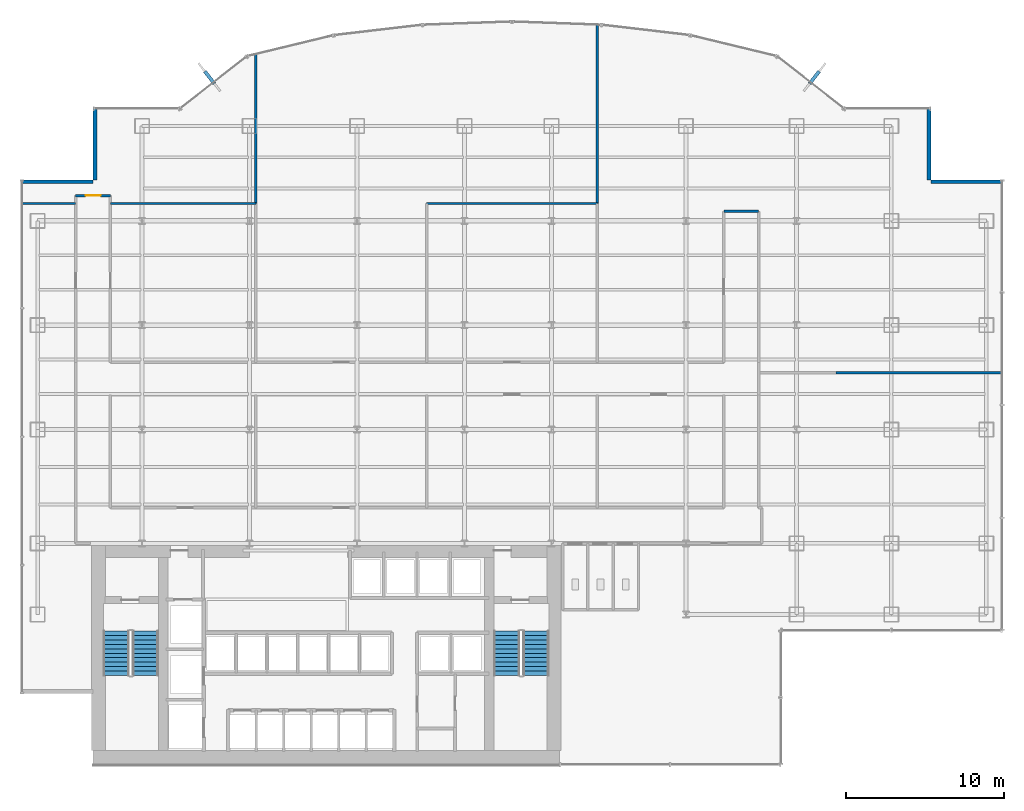
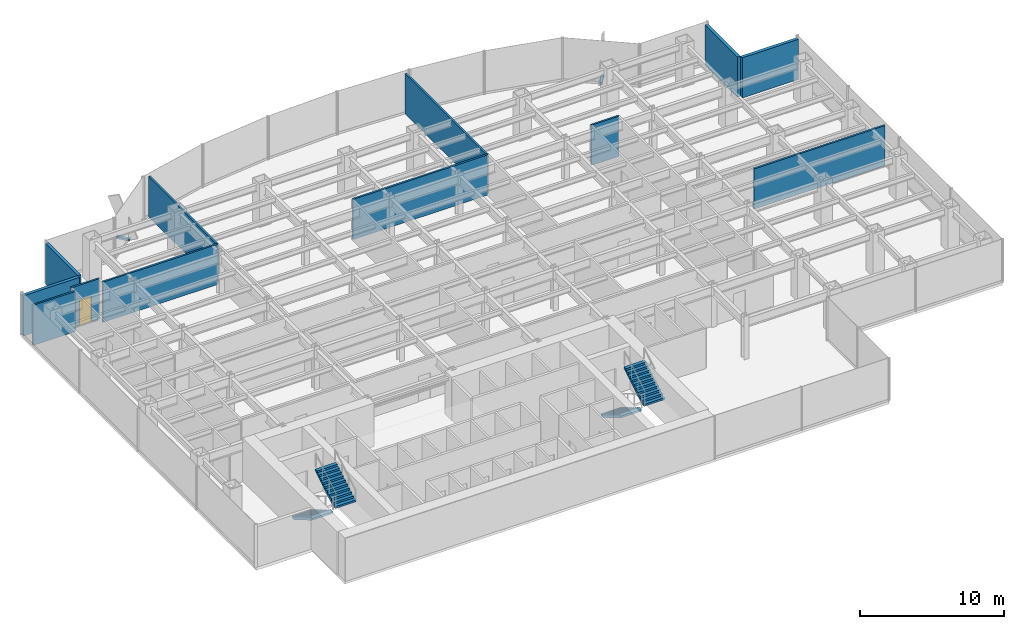
# One storey, part 20 of 23: 12 walls, 4 stair flights, 2 discrete accessories, 1 door, 1 opening, 2 elements without a shape of their own.
"""IFC4 building model written with IfcOpenShell, lengths in metres."""

from ifc_helpers import new_model, si_unit, derived_unit, direction, frame, frame_2d, origin, origin_2d, place, context, subcontext, project, spatial, polyline, rectangle, outline, extrude, source, transform, mapped, material, layer, layer_set, type_object, element, fill, aggregate, save


model = new_model("IFC4")

# Units and contexts
model_context = context("Model", 3, precision=1e-05, world=origin(), true_north=direction((0.0, 1.0)))
body_context = subcontext(model_context, "Body", "Model", "MODEL_VIEW")
ifc_project = project(units=[si_unit("LENGTHUNIT", "METRE"), si_unit("AREAUNIT", "SQUARE_METRE"), si_unit("VOLUMEUNIT", "CUBIC_METRE"), si_unit("PLANEANGLEUNIT", "RADIAN"), si_unit("MASSUNIT", "GRAM", prefix="KILO"), derived_unit("THERMALTRANSMITTANCEUNIT", [(si_unit("POWERUNIT", "WATT"), 1), (si_unit("LENGTHUNIT", "METRE"), -2), (si_unit("THERMODYNAMICTEMPERATUREUNIT", "KELVIN"), -1)])], contexts=[model_context])

# Site, building, storey
site_placement = place(None, origin())
site = spatial("IfcSite", under=ifc_project, at=site_placement, CompositionType="ELEMENT")
building_placement = place(site_placement, origin())
building = spatial("IfcBuilding", under=site, at=building_placement, Name="Skarnbrae Concourse Arena and Tower", CompositionType="ELEMENT")
storey_placement = place(building_placement, frame((0.0, 0.0, 50.75)))
storey = spatial("IfcBuildingStorey", under=building, at=storey_placement, Name="L11", CompositionType="ELEMENT", Elevation=50.75)

# Walls
ifc_material_1 = material(Name="Precast concrete 40 MPa (C40/50)", Category="concrete")
ifc_layer_1 = layer(ifc_material_1, 0.25)
ifc_layer_set_1 = layer_set([ifc_layer_1], Name="Precast concrete 40 MPa (C40/50)")
wall_type_1 = type_object("IfcWallType", Name="WALL-EXT-SPANDREL-250", PredefinedType="STANDARD", material=ifc_layer_set_1)
shared_shape_1 = source(origin(), body_context, "Body", "SweptSolid", [
    extrude(rectangle(XDim=4.5, YDim=0.25, at=frame_2d((2.25, 0.0))), origin(), (0.0, 0.0, 1.0), 3.39990234375),
])
for number, where, z_axis, x_axis, name in (
    (1, (62.0, 36.875, 0.0), (0.0, 0.0, 1.0), (-1.0, 0.0, 0.0), "L11 Notched corner insulated return wall 05"),
    (2, (57.375, 37.0, 0.0), (0.0, 0.0, 1.0), (0.0, 1.0, 0.0), "L11 Notched corner insulated return wall 06"),
    (3, (4.625, 41.5, 0.0), (0.0, 0.0, 1.0), (0.0, -1.0, 0.0), "L11 Notched corner insulated return wall 17"),
    (4, (4.5, 36.875, 0.0), (0.0, 0.0, 1.0), (-1.0, 0.0, 0.0), "L11 Notched corner insulated return wall 18"),
):
    element("IfcWall", number, at=place(storey_placement, frame(where, z_axis=z_axis, x_axis=x_axis)), inside=storey, type_object=wall_type_1, Name=name, PredefinedType="STANDARD", context=body_context, shape_type="MappedRepresentation", body=[
        mapped(shared_shape_1, transform((0.0, 0.0, 0.0))),
    ])

# Wall, opening, door
ifc_material_2 = material(Name="Gypsum board on cold-formed steel studs", Category="steel")
ifc_layer_2 = layer(ifc_material_2, 0.14990234375)
ifc_layer_set_2 = layer_set([ifc_layer_2], Name="Gypsum board on cold-formed steel studs")
wall_type_2 = type_object("IfcWallType", Name="WALL-PART-150-1HR", PredefinedType="PARTITIONING", material=ifc_layer_set_2)
shared_shape_2 = source(origin(), body_context, "Body", "SweptSolid", [
    extrude(rectangle(XDim=2.2001953125, YDim=0.14990234375, at=frame_2d((1.10009765625, 0.0))), origin(), (0.0, 0.0, 1.0), 3.39990234375),
])
wall_1_placement = place(storey_placement, frame((3.39990234375, 36.0, 0.0), z_axis=(0.0, 0.0, 1.0), x_axis=(1.0, 0.0, 0.0)))
wall_1 = element("IfcWall", 5, at=wall_1_placement, inside=storey, type_object=wall_type_2, Name="L11 Interior partition wall W-L11-COR-06", PredefinedType="PARTITIONING", context=body_context, shape_type="MappedRepresentation", body=[
    mapped(shared_shape_2, transform((0.0, 0.0, 0.0))),
])
opening_placement = place(wall_1_placement, frame((0.625, 0.0, 0.0)))
opening = element("IfcOpeningElement", 6, at=opening_placement, cuts=wall_1, Name="Opening DT-04", PredefinedType="OPENING", context=body_context, shape_type="SweptSolid", body=[
    extrude(rectangle(XDim=0.949951171875, YDim=2.14990234375, at=frame_2d((0.47509765625, 1.074951171875))), frame((0.0, 0.0849609375, 0.0), z_axis=(0.0, -1.0, 0.0), x_axis=(1.0, 0.0, 0.0)), (0.0, 0.0, 1.0), 0.169921875),
])
ifc_material_3 = material(Name="Steel CSA G40.21 350W", Category="steel")
door_type = type_object("IfcDoorType", Name="DOOR-INT-950-45M", OperationType="NOTDEFINED", PredefinedType="DOOR", material=ifc_material_3)
shared_shape_3 = source(origin(), body_context, "Body", "SweptSolid", [
    extrude(rectangle(XDim=0.949951171875, YDim=2.14990234375, at=frame_2d((0.47509765625, 1.074951171875))), frame((0.0, 0.02490234375, 0.0), z_axis=(0.0, -1.0, 0.0), x_axis=(1.0, 0.0, 0.0)), (0.0, 0.0, 1.0), 0.050048828125),
])
door_placement = place(opening_placement, origin())
door = element("IfcDoor", 7, at=door_placement, inside=storey, type_object=door_type, Name="D-0484 L11 Suite Door 02", OperationType="SINGLE_SWING_LEFT", OverallHeight=2.14990234375, OverallWidth=0.949951171875, PredefinedType="DOOR", context=body_context, shape_type="MappedRepresentation", body=[
    mapped(shared_shape_3, transform((0.0, 0.0, 0.0))),
])
fill(opening, door)

# Walls
wall_2_placement = place(storey_placement, frame((44.39990234375, 35.0, 0.0), z_axis=(0.0, 0.0, 1.0), x_axis=(1.0, 0.0, 0.0)))
element("IfcWall", 8, at=wall_2_placement, inside=storey, type_object=wall_type_2, Name="L11 Interior partition wall W-L11-COR-10", PredefinedType="PARTITIONING", context=body_context, shape_type="MappedRepresentation", body=[
    mapped(shared_shape_2, transform((0.0, 0.0, 0.0))),
])
ifc_layer_3 = layer(ifc_material_2, 0.14990234375)
ifc_layer_set_3 = layer_set([ifc_layer_3], Name="Gypsum board on cold-formed steel studs")
wall_type_3 = type_object("IfcWallType", Name="WALL-PART-150", PredefinedType="PARTITIONING", material=ifc_layer_set_3)
shared_shape_4 = source(origin(), body_context, "Body", "SweptSolid", [
    extrude(rectangle(XDim=3.3798828125, YDim=0.14990234375, at=frame_2d((1.68994140625, 0.0))), origin(), (0.0, 0.0, 1.0), 3.39990234375),
])
wall_3_placement = place(storey_placement, frame((0.02001953125, 35.5, 0.0), z_axis=(0.0, 0.0, 1.0), x_axis=(1.0, 0.0, 0.0)))
element("IfcWall", 9, at=wall_3_placement, inside=storey, type_object=wall_type_3, Name="L11 Interior partition wall W-L11-DEM-21", PredefinedType="PARTITIONING", context=body_context, shape_type="MappedRepresentation", body=[
    mapped(shared_shape_4, transform((0.0, 0.0, 0.0))),
])
shared_shape_5 = source(origin(), body_context, "Body", "SweptSolid", [
    extrude(rectangle(XDim=9.199951171875, YDim=0.14990234375, at=frame_2d((4.60009765625, 0.0))), origin(), (0.0, 0.0, 1.0), 3.39990234375),
])
wall_4_placement = place(storey_placement, frame((14.800048828125, 35.5, 0.0), z_axis=(0.0, 0.0, 1.0), x_axis=(-1.0, 0.0, 0.0)))
element("IfcWall", 10, at=wall_4_placement, inside=storey, type_object=wall_type_3, Name="L11 Interior partition wall W-L11-DEM-22", PredefinedType="PARTITIONING", context=body_context, shape_type="MappedRepresentation", body=[
    mapped(shared_shape_5, transform((0.0, 0.0, 0.0))),
])
shared_shape_6 = source(origin(), body_context, "Body", "SweptSolid", [
    extrude(rectangle(XDim=9.427978515625, YDim=0.14990234375, at=frame_2d((4.7138671875, 0.0))), origin(), (0.0, 0.0, 1.0), 3.39990234375),
])
wall_5_placement = place(storey_placement, frame((14.800048828125, 44.927978515625, 0.0), z_axis=(0.0, 0.0, 1.0), x_axis=(0.0, -1.0, 0.0)))
element("IfcWall", 11, at=wall_5_placement, inside=storey, type_object=wall_type_3, Name="L11 Interior partition wall W-L11-DEM-25", PredefinedType="PARTITIONING", context=body_context, shape_type="MappedRepresentation", body=[
    mapped(shared_shape_6, transform((0.0, 0.0, 0.0))),
])
shared_shape_7 = source(origin(), body_context, "Body", "SweptSolid", [
    extrude(rectangle(XDim=10.7998046875, YDim=0.14990234375, at=frame_2d((5.39990234375, 0.0))), origin(), (0.0, 0.0, 1.0), 3.39990234375),
])
wall_6_placement = place(storey_placement, frame((36.39990234375, 35.5, 0.0), z_axis=(0.0, 0.0, 1.0), x_axis=(-1.0, 0.0, 0.0)))
element("IfcWall", 12, at=wall_6_placement, inside=storey, type_object=wall_type_3, Name="L11 Interior partition wall W-L11-DEM-27", PredefinedType="PARTITIONING", context=body_context, shape_type="MappedRepresentation", body=[
    mapped(shared_shape_7, transform((0.0, 0.0, 0.0))),
])
shared_shape_8 = source(origin(), body_context, "Body", "SweptSolid", [
    extrude(rectangle(XDim=11.285888671875, YDim=0.14990234375, at=frame_2d((5.64306640625, 0.0))), origin(), (0.0, 0.0, 1.0), 3.39990234375),
])
wall_7_placement = place(storey_placement, frame((36.39990234375, 46.785888671875, 0.0), z_axis=(0.0, 0.0, 1.0), x_axis=(0.0, -1.0, 0.0)))
element("IfcWall", 13, at=wall_7_placement, inside=storey, type_object=wall_type_3, Name="L11 Interior partition wall W-L11-DEM-31", PredefinedType="PARTITIONING", context=body_context, shape_type="MappedRepresentation", body=[
    mapped(shared_shape_8, transform((0.0, 0.0, 0.0))),
])
shared_shape_9 = source(origin(), body_context, "Body", "SweptSolid", [
    extrude(rectangle(XDim=10.47998046875, YDim=0.14990234375, at=frame_2d((5.239990234375, 0.0))), origin(), (0.0, 0.0, 1.0), 3.39990234375),
])
wall_8_placement = place(storey_placement, frame((61.97998046875, 24.800048828125, 0.0), z_axis=(0.0, 0.0, 1.0), x_axis=(-1.0, 0.0, 0.0)))
element("IfcWall", 14, at=wall_8_placement, inside=storey, type_object=wall_type_3, Name="L11 Interior partition wall W-L11-DEM-32", PredefinedType="PARTITIONING", context=body_context, shape_type="MappedRepresentation", body=[
    mapped(shared_shape_9, transform((0.0, 0.0, 0.0))),
])

# Stair, stair flights
ifc_material_4 = material(Name="Concrete 40 MPa (C40/50)", Category="concrete")
stair_type = type_object("IfcStairType", Name="STAIR-DOGLEG-1650", PredefinedType="HALF_TURN_STAIR", material=ifc_material_4)
stair_1_placement = place(storey_placement, origin())
stair_1 = element("IfcStair", 15, at=stair_1_placement, inside=storey, type_object=stair_type, Name="L11 Protected Exit Stair ST-1", PredefinedType="HALF_TURN_STAIR")
stair_flight_type = type_object("IfcStairFlightType", Name="FLIGHT-STRAIGHT-1650", PredefinedType="STRAIGHT", material=ifc_material_4)
shared_shape_10 = source(origin(), body_context, "Body", "SweptSolid", [
    extrude(outline(polyline([(0.0, 0.0), (0.0, 0.166015625), (0.280029296875, 0.166015625), (0.280029296875, 0.331787109375), (0.56005859375, 0.331787109375), (0.56005859375, 0.497802734375), (0.840087890625, 0.497802734375), (0.840087890625, 0.66357421875), (1.1201171875, 0.66357421875), (1.1201171875, 0.82958984375), (1.39990234375, 0.82958984375), (1.39990234375, 0.995361328125), (1.679931640625, 0.995361328125), (1.679931640625, 1.161376953125), (1.9599609375, 1.161376953125), (1.9599609375, 1.327392578125), (2.239990234375, 1.327392578125), (2.239990234375, 1.4931640625), (2.52001953125, 1.4931640625), (2.52001953125, 1.6591796875), (2.800048828125, 1.6591796875), (2.800048828125, 1.824951171875), (2.800048828125, 1.48486328125), (0.2939453125, 0.0), (0.0, 0.0)])), frame((0.0, 0.824951171875, 0.0), z_axis=(0.0, -1.0, 0.0), x_axis=(1.0, 0.0, 0.0)), (0.0, 0.0, 1.0), 1.64990234375),
])
stair_flight_1_placement = place(storey_placement, frame((5.97509765625, 8.449951171875, 0.0), z_axis=(0.0, 0.0, 1.0), x_axis=(0.0, -1.0, 0.0)))
stair_flight_1 = element("IfcStairFlight", 16, at=stair_flight_1_placement, type_object=stair_flight_type, Name="ST-1 flight 1", NumberOfRisers=11, NumberOfTreads=10, PredefinedType="STRAIGHT", RiserHeight=0.165909091, TreadLength=0.28, context=body_context, shape_type="MappedRepresentation", body=[
    mapped(shared_shape_10, transform((0.0, 0.0, 0.0))),
])
stair_flight_2_placement = place(storey_placement, frame((7.824951171875, 5.64990234375, 1.824951171875), z_axis=(0.0, 0.0, 1.0), x_axis=(0.0, 1.0, 0.0)))
stair_flight_2 = element("IfcStairFlight", 17, at=stair_flight_2_placement, type_object=stair_flight_type, Name="ST-1 flight 2", NumberOfRisers=11, NumberOfTreads=10, PredefinedType="STRAIGHT", RiserHeight=0.165909091, TreadLength=0.28, context=body_context, shape_type="MappedRepresentation", body=[
    mapped(shared_shape_10, transform((0.0, 0.0, 0.0))),
])
aggregate(stair_1, [stair_flight_1, stair_flight_2])

stair_2_placement = place(storey_placement, origin())
stair_2 = element("IfcStair", 18, at=stair_2_placement, inside=storey, type_object=stair_type, Name="L11 Protected Exit Stair ST-2", PredefinedType="HALF_TURN_STAIR")
stair_flight_3_placement = place(storey_placement, frame((30.675048828125, 8.449951171875, 0.0), z_axis=(0.0, 0.0, 1.0), x_axis=(0.0, -1.0, 0.0)))
stair_flight_3 = element("IfcStairFlight", 19, at=stair_flight_3_placement, type_object=stair_flight_type, Name="ST-2 flight 1", NumberOfRisers=11, NumberOfTreads=10, PredefinedType="STRAIGHT", RiserHeight=0.165909091, TreadLength=0.28, context=body_context, shape_type="MappedRepresentation", body=[
    mapped(shared_shape_10, transform((0.0, 0.0, 0.0))),
])
stair_flight_4_placement = place(storey_placement, frame((32.52490234375, 5.64990234375, 1.824951171875), z_axis=(0.0, 0.0, 1.0), x_axis=(0.0, 1.0, 0.0)))
stair_flight_4 = element("IfcStairFlight", 20, at=stair_flight_4_placement, type_object=stair_flight_type, Name="ST-2 flight 2", NumberOfRisers=11, NumberOfTreads=10, PredefinedType="STRAIGHT", RiserHeight=0.165909091, TreadLength=0.28, context=body_context, shape_type="MappedRepresentation", body=[
    mapped(shared_shape_10, transform((0.0, 0.0, 0.0))),
])
aggregate(stair_2, [stair_flight_3, stair_flight_4])

# Discrete accessories
ifc_material_5 = material(Name="Bronze anodised aluminium 6063-T6", Category="aluminium")
discrete_accessory_type = type_object("IfcDiscreteAccessoryType", Name="ACC-FIN-BRACKET", PredefinedType="BRACKET", material=ifc_material_5)
shared_shape_11 = source(origin(), body_context, "Body", "SweptSolid", [
    extrude(rectangle(XDim=0.219970703125, YDim=0.97998046875, at=origin_2d()), origin(), (0.0, 0.0, 1.0), 0.179931640625),
])
for number, where, z_axis, x_axis, name in (
    (21, (50.129638671875, 43.470947265625, -0.02978515625), (0.0, 0.0, 1.0), (0.787656027369, -0.616115234797, 0.0), "L11 Bronze fin foot support bracket 08"),
    (22, (11.870361328125, 43.470947265625, -0.02978515625), (0.0, 0.0, 1.0), (0.787656027369, 0.616115234797, 0.0), "L11 Bronze fin foot support bracket 15"),
):
    element("IfcDiscreteAccessory", number, at=place(storey_placement, frame(where, z_axis=z_axis, x_axis=x_axis)), inside=storey, type_object=discrete_accessory_type, Name=name, PredefinedType="BRACKET", context=body_context, shape_type="MappedRepresentation", body=[
        mapped(shared_shape_11, transform((0.0, 0.0, 0.0))),
    ])

save(model, "model.ifc")
